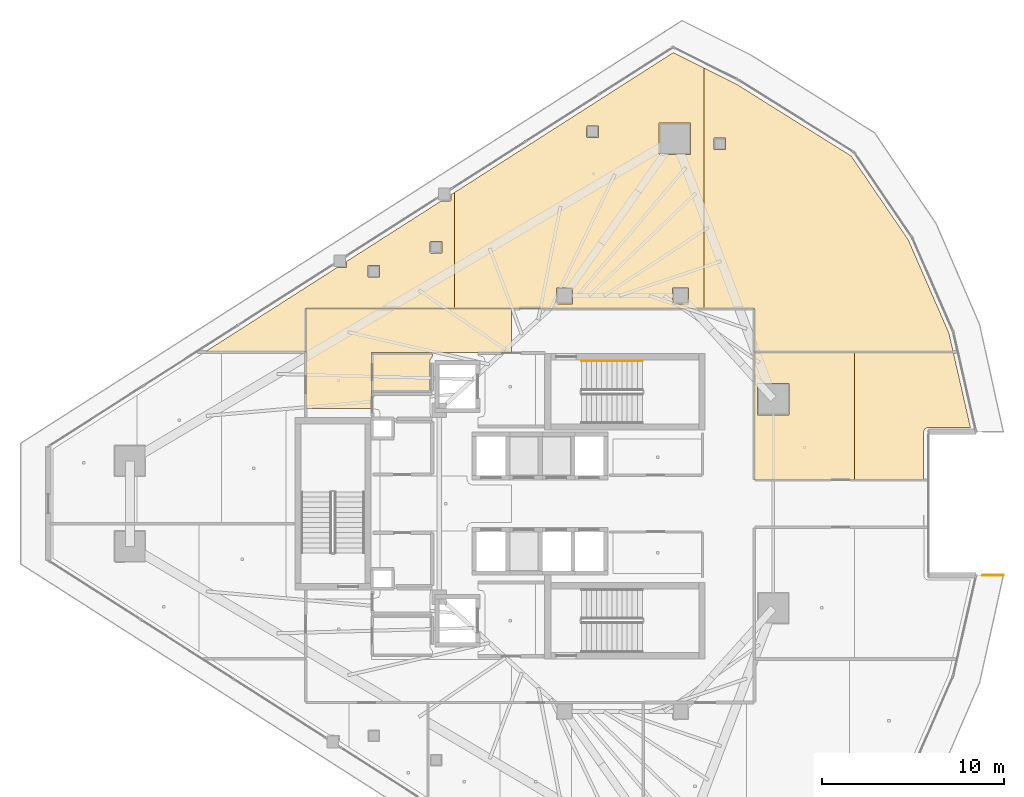
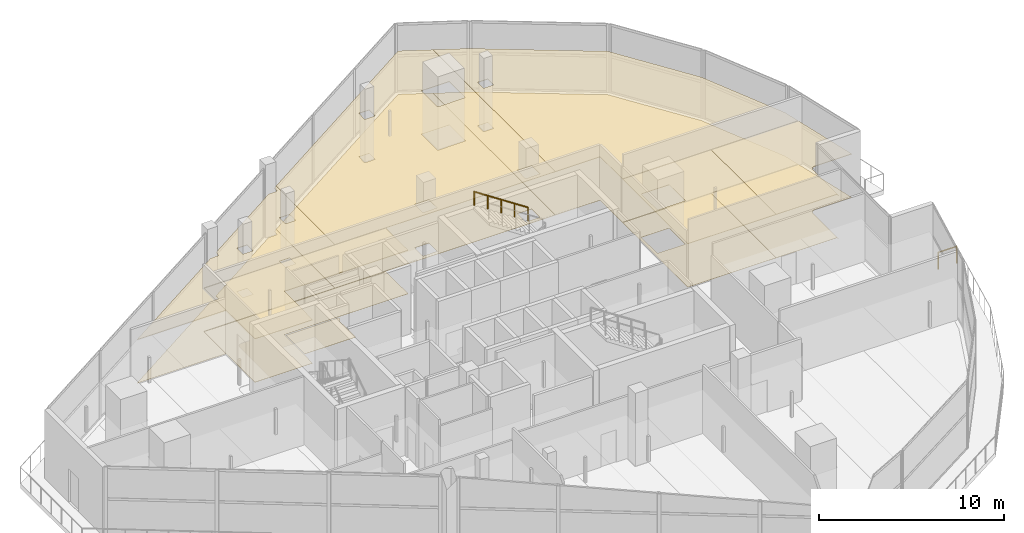
# One storey, part 35 of 36: 13 coverings, 2 railings.
"""IFC4 building model written with IfcOpenShell, lengths in metres."""

from ifc_helpers import new_model, si_unit, direction, frame, origin, origin_2d, place, context, subcontext, project, spatial, polyline, circle, outline, extrude, material, layer, layer_set, type_object, element, save


model = new_model("IFC4")

# Units and contexts
model_context = context("Model", 3, precision=1e-05, world=origin(), true_north=direction((0.0, 1.0)))
body_context = subcontext(model_context, "Body", "Model", "MODEL_VIEW")
ifc_project = project(units=[si_unit("LENGTHUNIT", "METRE"), si_unit("AREAUNIT", "SQUARE_METRE"), si_unit("VOLUMEUNIT", "CUBIC_METRE"), si_unit("PLANEANGLEUNIT", "RADIAN"), si_unit("MASSUNIT", "GRAM", prefix="KILO")], contexts=[model_context])

# Site, building, storey
site_placement = place(None, origin())
site = spatial("IfcSite", under=ifc_project, at=site_placement, CompositionType="ELEMENT")
building_placement = place(site_placement, origin())
building = spatial("IfcBuilding", under=site, at=building_placement, Name="Qorvath Tower", CompositionType="ELEMENT")
storey_placement = place(building_placement, frame((0.0, 0.0, 255.0)))
storey = spatial("IfcBuildingStorey", under=building, at=storey_placement, Name="L59", CompositionType="ELEMENT", Elevation=255.0)

# Coverings
ifc_material_1 = material(Name="Acoustic mineral fibre ceiling tile", Category="gypsum")
ifc_layer_1 = layer(ifc_material_1, 0.030029296875)
ifc_layer_set_1 = layer_set([ifc_layer_1], Name="COV-CEIL")
covering_type_1 = type_object("IfcCoveringType", Name="COV-CEIL", PredefinedType="CEILING", material=ifc_layer_set_1)
covering_1_placement = place(storey_placement, frame((0.0, 0.0, 2.85009765625)))
element("IfcCovering", 1, at=covering_1_placement, inside=storey, type_object=covering_type_1, Name="L59 Suspended Acoustic Ceiling 012", PredefinedType="CEILING", context=body_context, shape_type="SweptSolid", body=[
    extrude(outline(polyline([(-26.5107421875, 8.324951171875), (-26.5107421875, 10.7451171875), (-37.844970703125, 10.7451171875), (-37.844970703125, 5.239990234375), (-34.2509765625, 5.239990234375), (-34.219970703125, 8.324951171875), (-26.5107421875, 8.324951171875)])), origin(), (0.0, 0.0, 1.0), 0.030029296875),
])
covering_2_placement = place(storey_placement, frame((0.0, 0.0, 2.85009765625)))
element("IfcCovering", 2, at=covering_2_placement, inside=storey, type_object=covering_type_1, Name="L59 Suspended Acoustic Ceiling 014", PredefinedType="CEILING", context=body_context, shape_type="SweptSolid", body=[
    extrude(outline(polyline([(-29.89990234375, 16.674560546875), (-30.3896484375, 16.674560546875), (-35.595703125, 13.34716796875), (-35.61328125, 13.013427734375), (-36.1455078125, 12.995849609375), (-43.40673828125, 8.35498046875), (-37.863037109375, 8.35498046875), (-37.85791015625, 10.762939453125), (-29.666748046875, 10.762939453125), (-29.666748046875, 17.136474609375), (-29.83984375, 17.02587890625), (-29.83984375, 16.734619140625), (-29.89990234375, 16.674560546875)]), holes=[polyline([(-31.01220703125, 13.849365234375), (-30.99462890625, 14.441650390625), (-30.35986328125, 14.441650390625), (-30.35986328125, 13.806884765625), (-30.9521484375, 13.789306640625), (-31.01220703125, 13.849365234375)]), polyline([(-34.421630859375, 12.47509765625), (-34.421630859375, 13.10986328125), (-33.786865234375, 13.10986328125), (-33.786865234375, 12.47509765625), (-34.421630859375, 12.47509765625)])]), origin(), (0.0, 0.0, 1.0), 0.030029296875),
])
covering_3_placement = place(storey_placement, frame((0.0, 0.0, 2.85009765625)))
element("IfcCovering", 3, at=covering_3_placement, inside=storey, type_object=covering_type_1, Name="L59 Suspended Acoustic Ceiling 015", PredefinedType="CEILING", context=body_context, shape_type="SweptSolid", body=[
    extrude(outline(polyline([(-29.666748046875, 17.136474609375), (-29.666748046875, 10.762939453125), (-15.927001953125, 10.762939453125), (-15.927001953125, 24.00634765625), (-17.605224609375, 24.845458984375), (-29.666748046875, 17.136474609375)]), holes=[polyline([(-18.400390625, 19.276611328125), (-18.3828125, 20.968994140625), (-16.648193359375, 20.968994140625), (-16.648193359375, 19.234130859375), (-18.340576171875, 19.216552734375), (-18.400390625, 19.276611328125)]), polyline([(-17.659912109375, 11.050048828125), (-17.642333984375, 11.892333984375), (-16.757568359375, 11.892333984375), (-16.757568359375, 11.007568359375), (-17.60009765625, 10.989990234375), (-17.659912109375, 11.050048828125)]), polyline([(-22.38818359375, 20.219970703125), (-22.37060546875, 20.812255859375), (-21.73583984375, 20.812255859375), (-21.73583984375, 20.177490234375), (-22.328125, 20.159912109375), (-22.38818359375, 20.219970703125)]), polyline([(-24.06005859375, 11.050048828125), (-24.04248046875, 11.892333984375), (-23.157470703125, 11.892333984375), (-23.157470703125, 11.007568359375), (-24.0, 10.989990234375), (-24.06005859375, 11.050048828125)])]), origin(), (0.0, 0.0, 1.0), 0.030029296875),
])
covering_4_placement = place(storey_placement, frame((0.0, 0.0, 2.85009765625)))
element("IfcCovering", 4, at=covering_4_placement, inside=storey, type_object=covering_type_1, Name="L59 Suspended Acoustic Ceiling 016", PredefinedType="CEILING", context=body_context, shape_type="SweptSolid", body=[
    extrude(outline(polyline([(-15.927001953125, 24.00634765625), (-15.927001953125, 10.762939453125), (-13.14208984375, 10.762939453125), (-13.136962890625, 8.35498046875), (-2.187255859375, 8.35498046875), (-2.423583984375, 9.391845703125), (-4.6669921875, 14.536865234375), (-7.81103515625, 19.15087890625), (-14.154296875, 23.1201171875), (-15.927001953125, 24.00634765625)]), holes=[polyline([(-15.363525390625, 19.500732421875), (-15.363525390625, 20.135498046875), (-14.728759765625, 20.135498046875), (-14.728759765625, 19.500732421875), (-15.363525390625, 19.500732421875)])]), origin(), (0.0, 0.0, 1.0), 0.030029296875),
])
covering_5_placement = place(storey_placement, frame((0.0, 0.0, 2.85009765625)))
element("IfcCovering", 5, at=covering_5_placement, inside=storey, type_object=covering_type_1, Name="L59 Suspended Acoustic Ceiling 027", PredefinedType="CEILING", context=body_context, shape_type="SweptSolid", body=[
    extrude(outline(polyline([(-7.622314453125, 1.31298828125), (-7.622314453125, 8.3369140625), (-13.136962890625, 8.3369140625), (-13.136962890625, 1.31298828125), (-7.622314453125, 1.31298828125)]), holes=[polyline([(-12.964111328125, 4.890380859375), (-12.964111328125, 6.625244140625), (-11.2294921875, 6.625244140625), (-11.2294921875, 4.890380859375), (-12.964111328125, 4.890380859375)])]), origin(), (0.0, 0.0, 1.0), 0.030029296875),
])
covering_6_placement = place(storey_placement, frame((0.0, 0.0, 2.85009765625)))
element("IfcCovering", 6, at=covering_6_placement, inside=storey, type_object=covering_type_1, Name="L59 Suspended Acoustic Ceiling 028", PredefinedType="CEILING", context=body_context, shape_type="SweptSolid", body=[
    extrude(outline(polyline([(-3.7529296875, 4.11572265625), (-3.605712890625, 4.202880859375), (-1.241455078125, 4.207763671875), (-2.18310546875, 8.3369140625), (-7.622314453125, 8.3369140625), (-7.622314453125, 1.31298828125), (-3.8291015625, 1.31298828125), (-3.8193359375, 1.173095703125), (-3.810791015625, 3.977294921875), (-3.7529296875, 4.11572265625)])), origin(), (0.0, 0.0, 1.0), 0.030029296875),
])
ifc_material_2 = material(Name="Low-VOC modular carpet tile", Category="textile")
ifc_layer_2 = layer(ifc_material_2, 0.014892578125)
ifc_layer_set_2 = layer_set([ifc_layer_2], Name="COV-FLOOR-CPT")
covering_type_2 = type_object("IfcCoveringType", Name="COV-FLOOR-CPT", PredefinedType="FLOORING", material=ifc_layer_set_2)
covering_7_placement = place(storey_placement, origin())
element("IfcCovering", 7, at=covering_7_placement, inside=storey, type_object=covering_type_2, Name="L59 Floor Finish 014", PredefinedType="FLOORING", context=body_context, shape_type="SweptSolid", body=[
    extrude(outline(polyline([(-29.89990234375, 16.674560546875), (-30.3896484375, 16.674560546875), (-35.595703125, 13.34716796875), (-35.61328125, 13.013427734375), (-36.1455078125, 12.995849609375), (-43.40673828125, 8.35498046875), (-37.863037109375, 8.35498046875), (-37.85791015625, 10.762939453125), (-29.666748046875, 10.762939453125), (-29.666748046875, 17.136474609375), (-29.83984375, 17.02587890625), (-29.83984375, 16.734619140625), (-29.89990234375, 16.674560546875)]), holes=[polyline([(-31.01220703125, 13.849365234375), (-30.99462890625, 14.441650390625), (-30.35986328125, 14.441650390625), (-30.35986328125, 13.806884765625), (-30.9521484375, 13.789306640625), (-31.01220703125, 13.849365234375)]), polyline([(-34.421630859375, 12.47509765625), (-34.421630859375, 13.10986328125), (-33.786865234375, 13.10986328125), (-33.786865234375, 12.47509765625), (-34.421630859375, 12.47509765625)])]), origin(), (0.0, 0.0, 1.0), 0.014892578125),
])
covering_8_placement = place(storey_placement, origin())
element("IfcCovering", 8, at=covering_8_placement, inside=storey, type_object=covering_type_2, Name="L59 Floor Finish 015", PredefinedType="FLOORING", context=body_context, shape_type="SweptSolid", body=[
    extrude(outline(polyline([(-29.666748046875, 17.136474609375), (-29.666748046875, 10.762939453125), (-15.927001953125, 10.762939453125), (-15.927001953125, 24.00634765625), (-17.605224609375, 24.845458984375), (-29.666748046875, 17.136474609375)]), holes=[polyline([(-18.400390625, 19.276611328125), (-18.3828125, 20.968994140625), (-16.648193359375, 20.968994140625), (-16.648193359375, 19.234130859375), (-18.340576171875, 19.216552734375), (-18.400390625, 19.276611328125)]), polyline([(-17.659912109375, 11.050048828125), (-17.642333984375, 11.892333984375), (-16.757568359375, 11.892333984375), (-16.757568359375, 11.007568359375), (-17.60009765625, 10.989990234375), (-17.659912109375, 11.050048828125)]), polyline([(-22.38818359375, 20.219970703125), (-22.37060546875, 20.812255859375), (-21.73583984375, 20.812255859375), (-21.73583984375, 20.177490234375), (-22.328125, 20.159912109375), (-22.38818359375, 20.219970703125)]), polyline([(-24.06005859375, 11.050048828125), (-24.04248046875, 11.892333984375), (-23.157470703125, 11.892333984375), (-23.157470703125, 11.007568359375), (-24.0, 10.989990234375), (-24.06005859375, 11.050048828125)])]), origin(), (0.0, 0.0, 1.0), 0.014892578125),
])
covering_9_placement = place(storey_placement, origin())
element("IfcCovering", 9, at=covering_9_placement, inside=storey, type_object=covering_type_2, Name="L59 Floor Finish 016", PredefinedType="FLOORING", context=body_context, shape_type="SweptSolid", body=[
    extrude(outline(polyline([(-15.927001953125, 24.00634765625), (-15.927001953125, 10.762939453125), (-13.14208984375, 10.762939453125), (-13.136962890625, 8.35498046875), (-2.187255859375, 8.35498046875), (-2.423583984375, 9.391845703125), (-4.6669921875, 14.536865234375), (-7.81103515625, 19.15087890625), (-14.154296875, 23.1201171875), (-15.927001953125, 24.00634765625)]), holes=[polyline([(-15.363525390625, 19.500732421875), (-15.363525390625, 20.135498046875), (-14.728759765625, 20.135498046875), (-14.728759765625, 19.500732421875), (-15.363525390625, 19.500732421875)])]), origin(), (0.0, 0.0, 1.0), 0.014892578125),
])
covering_10_placement = place(storey_placement, origin())
element("IfcCovering", 10, at=covering_10_placement, inside=storey, type_object=covering_type_2, Name="L59 Floor Finish 027", PredefinedType="FLOORING", context=body_context, shape_type="SweptSolid", body=[
    extrude(outline(polyline([(-7.622314453125, 1.31298828125), (-7.622314453125, 8.3369140625), (-13.136962890625, 8.3369140625), (-13.136962890625, 1.31298828125), (-7.622314453125, 1.31298828125)]), holes=[polyline([(-12.964111328125, 4.890380859375), (-12.964111328125, 6.625244140625), (-11.2294921875, 6.625244140625), (-11.2294921875, 4.890380859375), (-12.964111328125, 4.890380859375)])]), origin(), (0.0, 0.0, 1.0), 0.014892578125),
])
covering_11_placement = place(storey_placement, origin())
element("IfcCovering", 11, at=covering_11_placement, inside=storey, type_object=covering_type_2, Name="L59 Floor Finish 028", PredefinedType="FLOORING", context=body_context, shape_type="SweptSolid", body=[
    extrude(outline(polyline([(-3.7529296875, 4.11572265625), (-3.605712890625, 4.202880859375), (-1.241455078125, 4.207763671875), (-2.18310546875, 8.3369140625), (-7.622314453125, 8.3369140625), (-7.622314453125, 1.31298828125), (-3.8291015625, 1.31298828125), (-3.8193359375, 1.173095703125), (-3.810791015625, 3.977294921875), (-3.7529296875, 4.11572265625)])), origin(), (0.0, 0.0, 1.0), 0.014892578125),
])
ifc_material_3 = material(Name="Polished epoxy terrazzo flooring", Category="concrete")
ifc_layer_3 = layer(ifc_material_3, 0.02001953125)
ifc_layer_set_3 = layer_set([ifc_layer_3], Name="COV-FLOOR-TRZ")
covering_type_3 = type_object("IfcCoveringType", Name="COV-FLOOR-TRZ", PredefinedType="FLOORING", material=ifc_layer_set_3)
covering_12_placement = place(storey_placement, origin())
element("IfcCovering", 12, at=covering_12_placement, inside=storey, type_object=covering_type_3, Name="L59 Floor Finish 005", PredefinedType="FLOORING", context=body_context, shape_type="SweptSolid", body=[
    extrude(outline(polyline([(-31.010009765625, 6.205078125), (-31.010009765625, 7.909912109375), (-30.885009765625, 8.108154296875), (-30.885009765625, 8.2451171875), (-34.175048828125, 8.2451171875), (-34.175048828125, 6.205078125), (-31.010009765625, 6.205078125)])), origin(), (0.0, 0.0, 1.0), 0.014892578125),
])
covering_13_placement = place(storey_placement, origin())
element("IfcCovering", 13, at=covering_13_placement, inside=storey, type_object=covering_type_3, Name="L59 Floor Finish 012", PredefinedType="FLOORING", context=body_context, shape_type="SweptSolid", body=[
    extrude(outline(polyline([(-26.5107421875, 8.324951171875), (-26.5107421875, 10.7451171875), (-37.844970703125, 10.7451171875), (-37.844970703125, 5.239990234375), (-34.2509765625, 5.239990234375), (-34.219970703125, 8.324951171875), (-26.5107421875, 8.324951171875)])), origin(), (0.0, 0.0, 1.0), 0.014892578125),
])

# Railings
ifc_material_4 = material(Name="Laminated safety glass and stainless steel AISI 316", Category="steel")
railing_type_1 = type_object("IfcRailingType", Name="RL-EXT-GRD", PredefinedType="GUARDRAIL", material=ifc_material_4)
railing_1_placement = place(storey_placement, frame((-0.572021484375, -3.952880859375, 0.0)))
element("IfcRailing", 14, at=railing_1_placement, inside=storey, type_object=railing_type_1, Name="Loggia Perimeter Guardrail L59-1.2", PredefinedType="GUARDRAIL", context=body_context, shape_type="SweptSolid", body=[
    extrude(circle(Radius=0.02392578125, at=origin_2d()), frame((0.0, 0.0, 1.09619140625), z_axis=(1.0, 0.0, 0.0), x_axis=(0.0, 1.0, 0.0)), (0.0, 0.0, 1.0), 1.158935546875),
    extrude(circle(Radius=0.02099609375, at=origin_2d()), origin(), (0.0, 0.0, 1.0), 1.072021484375),
    extrude(circle(Radius=0.02099609375, at=origin_2d()), frame((1.158935546875, 0.0, 0.0)), (0.0, 0.0, 1.0), 1.072021484375),
])
ifc_material_5 = material(Name="Brushed stainless steel AISI 304", Category="steel")
railing_type_2 = type_object("IfcRailingType", Name="RL-STR-HND", PredefinedType="HANDRAIL", material=ifc_material_5)
railing_2_placement = place(storey_placement, frame((-19.31005859375, 7.860107421875, 2.584716796875)))
element("IfcRailing", 15, at=railing_2_placement, inside=storey, type_object=railing_type_2, Name="L59 TS1 stair handrail 2", PredefinedType="HANDRAIL", context=body_context, shape_type="SweptSolid", body=[
    extrude(circle(Radius=0.02392578125, at=origin_2d()), frame((0.0, 0.0, 0.8759765625), z_axis=(-0.834858096282, 0.0, 0.550465220583), x_axis=(0.0, -1.0, 0.0)), (0.0, 0.0, 1.0), 4.0244140625),
    extrude(circle(Radius=0.02099609375, at=origin_2d()), origin(), (0.0, 0.0, 1.0), 0.851806640625),
    extrude(circle(Radius=0.02099609375, at=origin_2d()), frame((-0.83984375, 0.0, 0.5537109375)), (0.0, 0.0, 1.0), 0.851806640625),
    extrude(circle(Radius=0.02099609375, at=origin_2d()), frame((-1.679931640625, 0.0, 1.107666015625)), (0.0, 0.0, 1.0), 0.851806640625),
    extrude(circle(Radius=0.02099609375, at=origin_2d()), frame((-2.52001953125, 0.0, 1.66162109375)), (0.0, 0.0, 1.0), 0.851806640625),
    extrude(circle(Radius=0.02099609375, at=origin_2d()), frame((-3.35986328125, 0.0, 2.21533203125)), (0.0, 0.0, 1.0), 0.851806640625),
])

save(model, "model.ifc")
